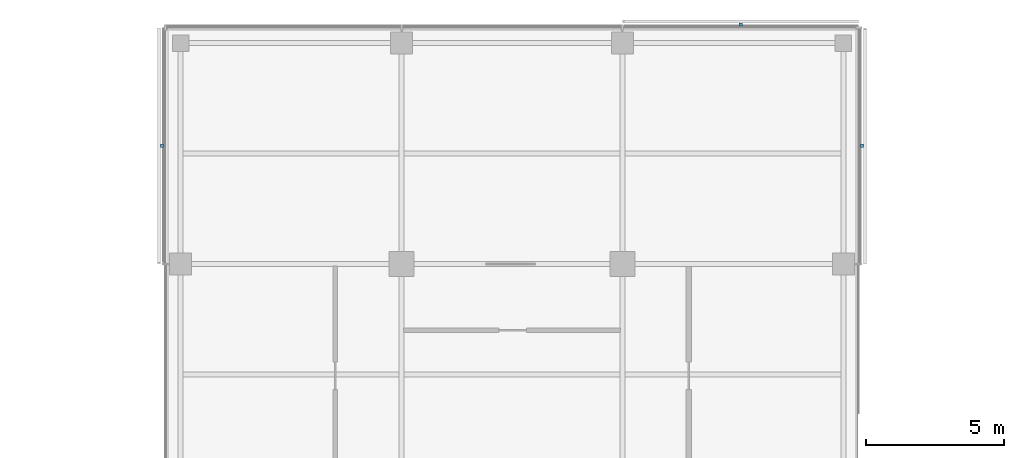
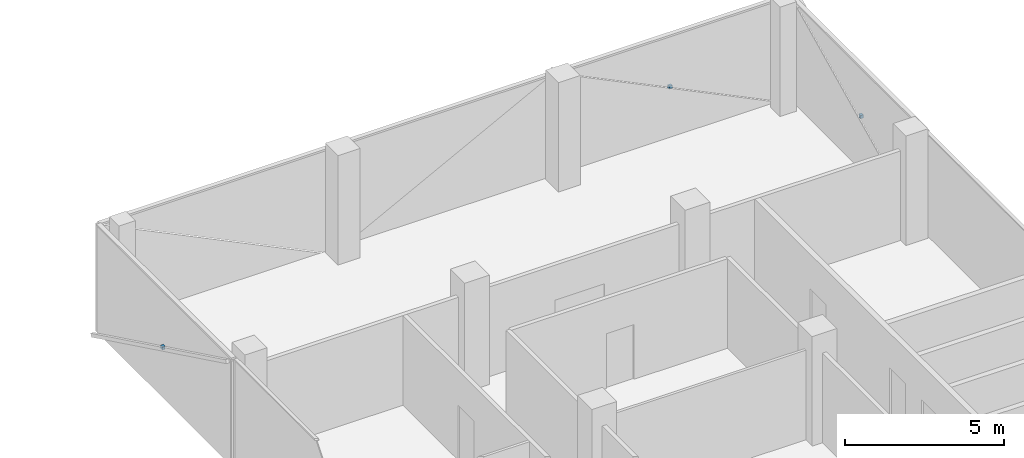
# One storey, part 15 of 16: 3 discrete accessories.
"""IFC4 building model written with IfcOpenShell, lengths in metres."""

from ifc_helpers import new_model, si_unit, direction, frame, origin, origin_2d, place, context, subcontext, project, spatial, rectangle, extrude, material, type_object, element, save


model = new_model("IFC4")

# Units and contexts
model_context = context("Model", 3, precision=1e-05, world=origin(), true_north=direction((0.0, 1.0)))
body_context = subcontext(model_context, "Body", "Model", "MODEL_VIEW")
ifc_project = project(units=[si_unit("LENGTHUNIT", "METRE"), si_unit("AREAUNIT", "SQUARE_METRE"), si_unit("VOLUMEUNIT", "CUBIC_METRE"), si_unit("PLANEANGLEUNIT", "RADIAN"), si_unit("MASSUNIT", "GRAM", prefix="KILO")], contexts=[model_context])

# Site, building, storey
site_placement = place(None, origin())
site = spatial("IfcSite", under=ifc_project, at=site_placement, CompositionType="ELEMENT")
building_placement = place(site_placement, origin())
building = spatial("IfcBuilding", under=site, at=building_placement, Name="Crosswind Convention Tower", CompositionType="ELEMENT")
storey_placement = place(building_placement, frame((0.0, 0.0, 208.300048828125)))
storey = spatial("IfcBuildingStorey", under=building, at=storey_placement, Name="L44", CompositionType="ELEMENT", Elevation=208.300048828125)

# Discrete accessories
ifc_material = material(Name="Stainless steel", Category="steel")
discrete_accessory_type = type_object("IfcDiscreteAccessoryType", Name="BAGUETTE BRACKET BK3", PredefinedType="BRACKET", material=ifc_material)
for number, where, z_axis, x_axis, name in (
    (1, (137.676025390625, 124.280029296875, 1.704833984375), (0.0, 0.0, 1.0), (0.0, 1.0, 0.0), "BK3 baguette bracket"),
    (2, (133.280029296875, 128.676025390625, 1.704833984375), (0.0, 0.0, 1.0), (-1.0, 0.0, 0.0), "BK3 baguette bracket"),
    (3, (112.323974609375, 124.280029296875, 1.704833984375), (0.0, 0.0, 1.0), (0.0, -1.0, 0.0), "BK3 baguette bracket"),
):
    element("IfcDiscreteAccessory", number, at=place(storey_placement, frame(where, z_axis=z_axis, x_axis=x_axis)), inside=storey, type_object=discrete_accessory_type, Name=name, PredefinedType="BRACKET", context=body_context, shape_type="SweptSolid", body=[
        extrude(rectangle(XDim=0.1201171875, YDim=0.10009765625, at=origin_2d()), origin(), (0.0, 0.0, 1.0), 0.1201171875),
    ])

save(model, "model.ifc")
